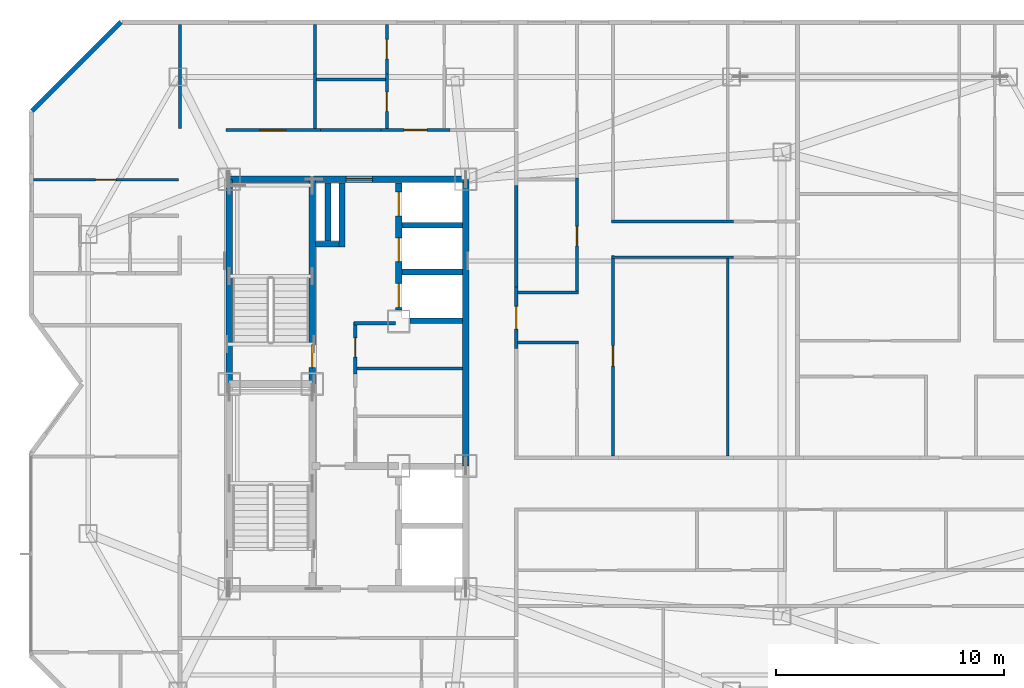
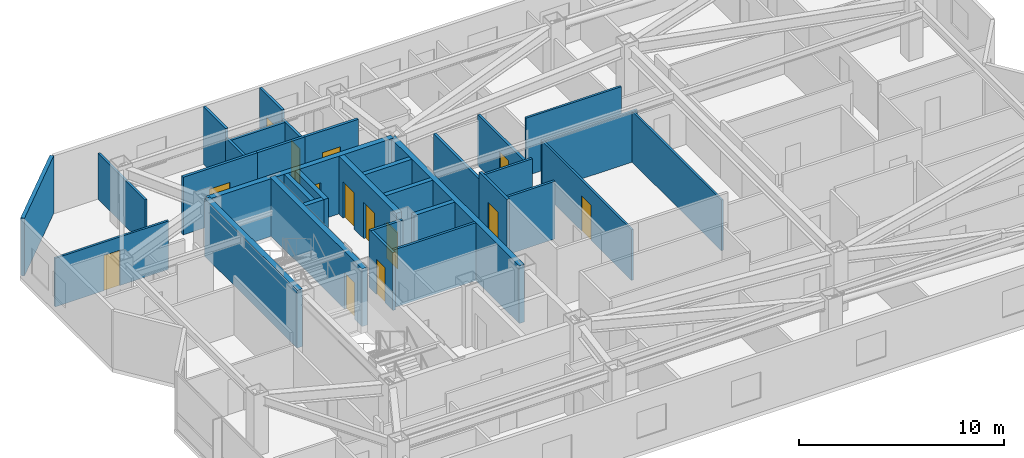
# One storey, part 10 of 14: 34 walls, 14 doors, 14 openings.
"""IFC4 building model written with IfcOpenShell, lengths in metres."""

import ifcopenshell
import ifcopenshell.guid

model = None  # the IFC model being written
_history = None  # IfcOwnerHistory: only IFC2X3 demands one
_inside = {}  # id of a spatial element -> (the spatial element, [elements in it])
_under = {}  # id of a project, library or spatial element -> (it, [spatial elements below it])
_declared = {}  # id of a project -> (the project, [libraries it declares])
_typed = {}  # id of a type object -> (the type object, [elements of that type])
_made_of = {}  # id of a material, layer set ... -> (it, [elements and type objects made of it])


def new_model(schema):
    """Start an empty IFC model of exactly this schema.

    Asked for "IFC4X3", IfcOpenShell would pick the latest addendum, in which some entities
    have other attributes; the version numbers below select the first issue.
    IFC2X3 requires an IfcOwnerHistory on every rooted entity: one is made here for all.
    """
    global model, _history
    if schema == "IFC4X3":
        model = ifcopenshell.file(schema_version=(4, 3, 0, 0))
    else:
        model = ifcopenshell.file(schema=schema)
    _inside.clear()
    _under.clear()
    _declared.clear()
    _typed.clear()
    _made_of.clear()
    _history = None
    if model.schema == "IFC2X3":
        org = make("IfcOrganization", Name="unknown")
        user = make(
            "IfcPersonAndOrganization",
            ThePerson=make("IfcPerson", FamilyName="unknown"),
            TheOrganization=org,
        )
        app = make(
            "IfcApplication",
            ApplicationDeveloper=org,
            Version="unknown",
            ApplicationFullName="unknown",
            ApplicationIdentifier="unknown",
        )
        _history = make(
            "IfcOwnerHistory",
            OwningUser=user,
            OwningApplication=app,
            ChangeAction="ADDED",
            CreationDate=0,
        )
    return model


def make(cls, **values):
    """One entity of the class cls with the attributes given. An attribute that is None is left unset."""
    return model.create_entity(
        cls, **{name: value for name, value in values.items() if value is not None}
    )


def rooted(cls, **values):
    """An entity with a GlobalId (a new one), such as an element, a storey or a relation."""
    return make(cls, GlobalId=ifcopenshell.guid.new(), OwnerHistory=_history, **values)


def si_unit(unit_type, name, prefix=None):
    """IfcSIUnit, for example si_unit("LENGTHUNIT", "METRE", prefix="MILLI")."""
    return make("IfcSIUnit", UnitType=unit_type, Prefix=prefix, Name=name)


def assignment(units):
    """IfcUnitAssignment: the units of a project."""
    return None if units is None else make("IfcUnitAssignment", Units=units)


def point(xyz):
    """IfcCartesianPoint."""
    return None if xyz is None else make("IfcCartesianPoint", Coordinates=xyz)


def direction(xyz):
    """IfcDirection."""
    return None if xyz is None else make("IfcDirection", DirectionRatios=xyz)


def frame(location, z_axis=None, x_axis=None):
    """IfcAxis2Placement3D, a coordinate frame: its origin and axes. An axis left out is left unset."""
    return make(
        "IfcAxis2Placement3D",
        Location=point(location),
        Axis=direction(z_axis),
        RefDirection=direction(x_axis),
    )


def frame_2d(location, x_axis=None):
    """IfcAxis2Placement2D, a coordinate frame in the plane: its origin and x axis."""
    return make(
        "IfcAxis2Placement2D", Location=point(location), RefDirection=direction(x_axis)
    )


def origin():
    """The frame at (0, 0, 0) with its axes left unset."""
    return frame((0.0, 0.0, 0.0))


def place(relative_to, where):
    """IfcLocalPlacement: puts the frame where relative to a parent placement (None: the world)."""
    return make(
        "IfcLocalPlacement", PlacementRelTo=relative_to, RelativePlacement=where
    )


def context(
    kind, dimensions, precision=None, world=None, true_north=None, identifier=None
):
    """IfcGeometricRepresentationContext, for example the 3D "Model" context."""
    return make(
        "IfcGeometricRepresentationContext",
        ContextIdentifier=identifier,
        ContextType=kind,
        CoordinateSpaceDimension=dimensions,
        Precision=precision,
        WorldCoordinateSystem=world,
        TrueNorth=true_north,
    )


def subcontext(parent, identifier, kind, view, scale=None):
    """IfcGeometricRepresentationSubContext, for example "Body" below "Model"."""
    return make(
        "IfcGeometricRepresentationSubContext",
        ContextIdentifier=identifier,
        ContextType=kind,
        ParentContext=parent,
        TargetScale=scale,
        TargetView=view,
    )


def project(units=None, contexts=None):
    """IfcProject with its units and contexts."""
    return rooted(
        "IfcProject",
        Name="project",
        RepresentationContexts=contexts,
        UnitsInContext=assignment(units),
    )


def spatial(cls, under=None, at=None, **own):
    """A site, building, storey or space (cls), placed at a placement, below another one or the project."""
    s = rooted(cls, ObjectPlacement=at, **own)
    if under is not None:
        _under.setdefault(under.id(), (under, []))[1].append(s)
    return s


def profile(cls, at=None, kind="AREA", **sizes):
    """A parametric profile (cls). Its sizes go by their IFC names, for example OverallWidth=200.0."""
    return make(cls, ProfileType=kind, Position=at, **sizes)


def rectangle(**sizes):
    """IfcRectangleProfileDef."""
    return profile("IfcRectangleProfileDef", **sizes)


def extrude(swept, where, along, depth):
    """IfcExtrudedAreaSolid: the profile swept, set in the frame where, extruded along a direction by depth."""
    return make(
        "IfcExtrudedAreaSolid",
        SweptArea=swept,
        Position=where,
        ExtrudedDirection=direction(along),
        Depth=depth,
    )


def shape(context_of_items, identifier, shape_type, items):
    """IfcShapeRepresentation: the items that make up one representation, for example the "Body"."""
    return make(
        "IfcShapeRepresentation",
        ContextOfItems=context_of_items,
        RepresentationIdentifier=identifier,
        RepresentationType=shape_type,
        Items=items,
    )


def material(Name=None, Category=None):
    """IfcMaterial."""
    return make("IfcMaterial", Name=Name, Category=Category)


def layer(
    of_material, thickness, ventilated=None, Name=None, Category=None, Priority=None
):
    """IfcMaterialLayer: one layer of a wall or slab, of a material (None: an air gap)."""
    return make(
        "IfcMaterialLayer",
        Material=of_material,
        LayerThickness=thickness,
        IsVentilated=ventilated,
        Name=Name,
        Category=Category,
        Priority=Priority,
    )


def layer_set(layers, Name=None):
    """IfcMaterialLayerSet."""
    return make("IfcMaterialLayerSet", MaterialLayers=layers, LayerSetName=Name)


def made_of(thing, what):
    """Note that an element or type object is made of a material, layer set ...; save() writes the relation."""
    if what is not None:
        _made_of.setdefault(what.id(), (what, []))[1].append(thing)
    return thing


def type_object(cls, material=None, **own):
    """A type object (cls), such as IfcWallType, which elements share."""
    return made_of(rooted(cls, **own), material)


def element(
    cls,
    number,
    at=None,
    inside=None,
    cuts=None,
    type_object=None,
    material=None,
    context=None,
    identifier="Body",
    shape_type=None,
    held_by="IfcProductDefinitionShape",
    body=None,
    shapes=None,
    **own,
):
    """One element of the class cls, such as IfcWall. Its Tag is "e" and its number.

    at: its placement. inside: the storey or other place that contains it. cuts: it is an
    opening in that element (IfcRelVoidsElement). A single representation is given by context,
    identifier, shape_type and body (its items); several are given by shapes. held_by: the class
    of the entity that holds the representations. save() writes the other relations.
    """
    e = rooted(cls, Tag="e%d" % number, ObjectPlacement=at, **own)
    if body is not None:
        shapes = [shape(context, identifier, shape_type, body)]
    if shapes is not None:
        e.Representation = make(held_by, Representations=shapes)
    if inside is not None:
        _inside.setdefault(inside.id(), (inside, []))[1].append(e)
    if cuts is not None:
        rooted(
            "IfcRelVoidsElement", RelatingBuildingElement=cuts, RelatedOpeningElement=e
        )
    if type_object is not None:
        _typed.setdefault(type_object.id(), (type_object, []))[1].append(e)
    return made_of(e, material)


def fill(opening, filler):
    """IfcRelFillsElement: the door or window that sits in an opening."""
    return rooted(
        "IfcRelFillsElement",
        RelatingOpeningElement=opening,
        RelatedBuildingElement=filler,
    )


def aggregate(whole, parts):
    """IfcRelAggregates: a whole, such as a stair, and the parts it consists of."""
    return rooted("IfcRelAggregates", RelatingObject=whole, RelatedObjects=parts)


def save(model, path):
    """Write the relations noted so far, then the file.

    IfcRelAggregates (storeys below a building ...), IfcRelContainedInSpatialStructure (elements
    in a storey), IfcRelDefinesByType, IfcRelAssociatesMaterial and IfcRelDeclares: one each for
    every whole, place, type object, material and project.
    """
    for whole, parts in _under.values():
        aggregate(whole, parts)
    for where, things in _inside.values():
        rooted(
            "IfcRelContainedInSpatialStructure",
            RelatedElements=things,
            RelatingStructure=where,
        )
    for kind, things in _typed.values():
        rooted("IfcRelDefinesByType", RelatedObjects=things, RelatingType=kind)
    for what, things in _made_of.values():
        rooted("IfcRelAssociatesMaterial", RelatedObjects=things, RelatingMaterial=what)
    for by, libraries in _declared.values():
        rooted("IfcRelDeclares", RelatingContext=by, RelatedDefinitions=libraries)
    model.write(path)


model = new_model("IFC4")

# Units and contexts
model_context = context("Model", 3, precision=1e-05, world=origin(), true_north=direction((0.0, 1.0)))
body_context = subcontext(model_context, "Body", "Model", "MODEL_VIEW")
ifc_project = project(units=[si_unit("LENGTHUNIT", "METRE"), si_unit("AREAUNIT", "SQUARE_METRE"), si_unit("VOLUMEUNIT", "CUBIC_METRE"), si_unit("PLANEANGLEUNIT", "RADIAN"), si_unit("MASSUNIT", "GRAM", prefix="KILO")], contexts=[model_context])

# Site, building, storey
site_placement = place(None, origin())
site = spatial("IfcSite", under=ifc_project, at=site_placement, CompositionType="ELEMENT")
building_placement = place(site_placement, origin())
building = spatial("IfcBuilding", under=site, at=building_placement, Name="Khamvora Tower", CompositionType="ELEMENT")
storey_placement = place(building_placement, frame((0.0, 0.0, 253.699951171875)))
storey = spatial("IfcBuildingStorey", under=building, at=storey_placement, Name="L65", CompositionType="ELEMENT", Elevation=253.699951171875)

# Wall
ifc_material_1 = material(Name="Concrete C50/60", Category="concrete")
ifc_layer_1 = layer(ifc_material_1, 0.300048828125)
ifc_layer_set_1 = layer_set([ifc_layer_1], Name="Concrete C50/60")
wall_type_1 = type_object("IfcWallType", Name="WAL-CORE-300", PredefinedType="SHEAR", material=ifc_layer_set_1)
wall_1_placement = place(storey_placement, frame((29.0, 28.0, 0.0), z_axis=(0.0, 0.0, 1.0), x_axis=(0.0, 1.0, 0.0)))
element("IfcWall", 1, at=wall_1_placement, inside=storey, type_object=wall_type_1, Name="L65 central core west north wall", PredefinedType="SHEAR", context=body_context, shape_type="SweptSolid", body=[
    extrude(rectangle(XDim=9.0, YDim=0.300048828125, at=frame_2d((4.5, 0.0))), origin(), (0.0, 0.0, 1.0), 3.429931640625),
])

# Wall, opening, door
wall_2_placement = place(storey_placement, frame((29.0, 37.0, 0.0), z_axis=(0.0, 0.0, 1.0), x_axis=(1.0, 0.0, 0.0)))
wall_2 = element("IfcWall", 2, at=wall_2_placement, inside=storey, type_object=wall_type_1, Name="L65 central core north wall", PredefinedType="SHEAR", context=body_context, shape_type="SweptSolid", body=[
    extrude(rectangle(XDim=10.39990234375, YDim=0.300048828125, at=frame_2d((5.199951171875, 0.0))), origin(), (0.0, 0.0, 1.0), 3.429931640625),
])
opening_1_placement = place(wall_2_placement, frame((5.139892578125, 0.0, 0.0)))
opening_1 = element("IfcOpeningElement", 3, at=opening_1_placement, cuts=wall_2, Name="Opening D-SC1", PredefinedType="OPENING", context=body_context, shape_type="SweptSolid", body=[
    extrude(rectangle(XDim=1.14990234375, YDim=2.199951171875, at=frame_2d((0.574951171875, 1.10009765625))), frame((0.0, 0.159912109375, 0.0), z_axis=(0.0, -1.0, 0.0), x_axis=(1.0, 0.0, 0.0)), (0.0, 0.0, 1.0), 0.320068359375),
])
ifc_material_2 = material(Name="Powder-Coated Steel and Hardwood Leaf", Category="steel")
door_type_1 = type_object("IfcDoorType", Name="DOR-SCHL-1150", OperationType="NOTDEFINED", PredefinedType="DOOR", material=ifc_material_2)
door_1_placement = place(opening_1_placement, origin())
door_1 = element("IfcDoor", 4, at=door_1_placement, inside=storey, type_object=door_type_1, Name="L65 north core lobby to corridor fire door", OperationType="SINGLE_SWING_LEFT", OverallHeight=2.199951171875, OverallWidth=1.14990234375, PredefinedType="DOOR", context=body_context, shape_type="SweptSolid", body=[
    extrude(rectangle(XDim=1.14990234375, YDim=2.199951171875, at=frame_2d((0.574951171875, 1.10009765625))), frame((0.0, 0.02490234375, 0.0), z_axis=(0.0, -1.0, 0.0), x_axis=(1.0, 0.0, 0.0)), (0.0, 0.0, 1.0), 0.050048828125),
])
fill(opening_1, door_1)

# Wall
wall_3_placement = place(storey_placement, frame((39.39990234375, 24.39990234375, 0.0), z_axis=(0.0, 0.0, 1.0), x_axis=(0.0, 1.0, 0.0)))
element("IfcWall", 5, at=wall_3_placement, inside=storey, type_object=wall_type_1, Name="L65 central core east north wall", PredefinedType="SHEAR", context=body_context, shape_type="SweptSolid", body=[
    extrude(rectangle(XDim=12.60009765625, YDim=0.300048828125, at=frame_2d((6.300048828125, 0.0))), origin(), (0.0, 0.0, 1.0), 3.429931640625),
])

# Wall, opening, door
wall_4_placement = place(storey_placement, frame((32.64990234375, 28.0, 0.0), z_axis=(0.0, 0.0, 1.0), x_axis=(0.0, 1.0, 0.0)))
wall_4 = element("IfcWall", 6, at=wall_4_placement, inside=storey, type_object=wall_type_1, Name="L65 central core stair north spine wall", PredefinedType="SHEAR", context=body_context, shape_type="SweptSolid", body=[
    extrude(rectangle(XDim=9.0, YDim=0.300048828125, at=frame_2d((4.5, 0.0))), origin(), (0.0, 0.0, 1.0), 3.429931640625),
])
opening_2_placement = place(wall_4_placement, frame((0.719970703125, 0.0, 0.0)))
opening_2 = element("IfcOpeningElement", 7, at=opening_2_placement, cuts=wall_4, Name="Opening D-ST1", PredefinedType="OPENING", context=body_context, shape_type="SweptSolid", body=[
    extrude(rectangle(XDim=1.0, YDim=2.14990234375, at=frame_2d((0.5, 1.074951171875))), frame((0.0, 0.159912109375, 0.0), z_axis=(0.0, -1.0, 0.0), x_axis=(1.0, 0.0, 0.0)), (0.0, 0.0, 1.0), 0.320068359375),
])
door_type_2 = type_object("IfcDoorType", Name="DOR-STAIR-1000", OperationType="NOTDEFINED", PredefinedType="DOOR", material=ifc_material_2)
door_2_placement = place(opening_2_placement, origin())
door_2 = element("IfcDoor", 8, at=door_2_placement, inside=storey, type_object=door_type_2, Name="L65 exit stair ST-02 fire door", OperationType="SINGLE_SWING_RIGHT", OverallHeight=2.14990234375, OverallWidth=1.0, PredefinedType="DOOR", context=body_context, shape_type="SweptSolid", body=[
    extrude(rectangle(XDim=1.0, YDim=2.14990234375, at=frame_2d((0.5, 1.074951171875))), frame((0.0, 0.02490234375, 0.0), z_axis=(0.0, -1.0, 0.0), x_axis=(1.0, 0.0, 0.0)), (0.0, 0.0, 1.0), 0.050048828125),
])
fill(opening_2, door_2)

# Wall, openings, doors
wall_5_placement = place(storey_placement, frame((36.449951171875, 31.25, 0.0), z_axis=(0.0, 0.0, 1.0), x_axis=(0.0, 1.0, 0.0)))
wall_5 = element("IfcWall", 9, at=wall_5_placement, inside=storey, type_object=wall_type_1, Name="L65 central core lift bank central wall", PredefinedType="SHEAR", context=body_context, shape_type="SweptSolid", body=[
    extrude(rectangle(XDim=5.595947265625, YDim=0.300048828125, at=frame_2d((2.7978515625, 0.0))), origin(), (0.0, 0.0, 1.0), 3.429931640625),
])
opening_3_placement = place(wall_5_placement, frame((0.1201171875, 0.0, 0.0)))
opening_3 = element("IfcOpeningElement", 10, at=opening_3_placement, cuts=wall_5, Name="Opening LD-PL", PredefinedType="OPENING", context=body_context, shape_type="SweptSolid", body=[
    extrude(rectangle(XDim=1.050048828125, YDim=2.14990234375, at=frame_2d((0.52490234375, 1.074951171875))), frame((0.0, 0.159912109375, 0.0), z_axis=(0.0, -1.0, 0.0), x_axis=(1.0, 0.0, 0.0)), (0.0, 0.0, 1.0), 0.320068359375),
])
opening_4_placement = place(wall_5_placement, frame((2.125, 0.0, 0.0)))
opening_4 = element("IfcOpeningElement", 11, at=opening_4_placement, cuts=wall_5, Name="Opening LD-PL", PredefinedType="OPENING", context=body_context, shape_type="SweptSolid", body=[
    extrude(rectangle(XDim=1.050048828125, YDim=2.14990234375, at=frame_2d((0.52490234375, 1.074951171875))), frame((0.0, 0.159912109375, 0.0), z_axis=(0.0, -1.0, 0.0), x_axis=(1.0, 0.0, 0.0)), (0.0, 0.0, 1.0), 0.320068359375),
])
opening_5_placement = place(wall_5_placement, frame((4.14501953125, 0.0, 0.0)))
opening_5 = element("IfcOpeningElement", 12, at=opening_5_placement, cuts=wall_5, Name="Opening LD-PL", PredefinedType="OPENING", context=body_context, shape_type="SweptSolid", body=[
    extrude(rectangle(XDim=1.050048828125, YDim=2.14990234375, at=frame_2d((0.52490234375, 1.074951171875))), frame((0.0, 0.159912109375, 0.0), z_axis=(0.0, -1.0, 0.0), x_axis=(1.0, 0.0, 0.0)), (0.0, 0.0, 1.0), 0.320068359375),
])
door_type_3 = type_object("IfcDoorType", Name="DOR-LIFT-1050", OperationType="SLIDING_TO_LEFT", PredefinedType="DOOR", material=ifc_material_2)
door_3_placement = place(opening_3_placement, origin())
door_3 = element("IfcDoor", 13, at=door_3_placement, inside=storey, type_object=door_type_3, Name="L65 lift landing sliding door PH-01", OperationType="SLIDING_TO_LEFT", OverallHeight=2.14990234375, OverallWidth=1.050048828125, PredefinedType="DOOR", context=body_context, shape_type="SweptSolid", body=[
    extrude(rectangle(XDim=1.050048828125, YDim=2.14990234375, at=frame_2d((0.52490234375, 1.074951171875))), frame((0.0, 0.02490234375, 0.0), z_axis=(0.0, -1.0, 0.0), x_axis=(1.0, 0.0, 0.0)), (0.0, 0.0, 1.0), 0.050048828125),
])
fill(opening_3, door_3)
door_4_placement = place(opening_4_placement, origin())
door_4 = element("IfcDoor", 14, at=door_4_placement, inside=storey, type_object=door_type_3, Name="L65 lift landing sliding door PH-02", OperationType="SLIDING_TO_LEFT", OverallHeight=2.14990234375, OverallWidth=1.050048828125, PredefinedType="DOOR", context=body_context, shape_type="SweptSolid", body=[
    extrude(rectangle(XDim=1.050048828125, YDim=2.14990234375, at=frame_2d((0.52490234375, 1.074951171875))), frame((0.0, 0.02490234375, 0.0), z_axis=(0.0, -1.0, 0.0), x_axis=(1.0, 0.0, 0.0)), (0.0, 0.0, 1.0), 0.050048828125),
])
fill(opening_4, door_4)
door_5_placement = place(opening_5_placement, origin())
door_5 = element("IfcDoor", 15, at=door_5_placement, inside=storey, type_object=door_type_3, Name="L65 lift landing sliding door PH-03", OperationType="SLIDING_TO_LEFT", OverallHeight=2.14990234375, OverallWidth=1.050048828125, PredefinedType="DOOR", context=body_context, shape_type="SweptSolid", body=[
    extrude(rectangle(XDim=1.050048828125, YDim=2.14990234375, at=frame_2d((0.52490234375, 1.074951171875))), frame((0.0, 0.02490234375, 0.0), z_axis=(0.0, -1.0, 0.0), x_axis=(1.0, 0.0, 0.0)), (0.0, 0.0, 1.0), 0.050048828125),
])
fill(opening_5, door_5)

# Wall
ifc_material_3 = material(Name="Fire-Rated Drywall and Steel Stud", Category="steel")
ifc_layer_2 = layer(ifc_material_3, 0.14990234375)
ifc_layer_set_2 = layer_set([ifc_layer_2], Name="Fire-Rated Drywall and Steel Stud")
wall_type_2 = type_object("IfcWallType", Name="WAL-CORR-150", PredefinedType="STANDARD", material=ifc_layer_set_2)
wall_6_placement = place(storey_placement, frame((36.300048828125, 30.6650390625, 0.0), z_axis=(0.0, 0.0, 1.0), x_axis=(-1.0, 0.0, 0.0)))
element("IfcWall", 16, at=wall_6_placement, inside=storey, type_object=wall_type_2, Name="L65 interior partition wall 001", PredefinedType="STANDARD", context=body_context, shape_type="SweptSolid", body=[
    extrude(rectangle(XDim=1.820068359375, YDim=0.14990234375, at=frame_2d((0.91015625, 0.0))), origin(), (0.0, 0.0, 1.0), 3.429931640625),
])

# Wall, opening, door
wall_7_placement = place(storey_placement, frame((34.544921875, 30.72998046875, 0.0), z_axis=(0.0, 0.0, 1.0), x_axis=(0.0, -1.0, 0.0)))
wall_7 = element("IfcWall", 17, at=wall_7_placement, inside=storey, type_object=wall_type_2, Name="L65 interior partition wall 002", PredefinedType="STANDARD", context=body_context, shape_type="SweptSolid", body=[
    extrude(rectangle(XDim=2.2939453125, YDim=0.14990234375, at=frame_2d((1.14697265625, 0.0))), origin(), (0.0, 0.0, 1.0), 3.429931640625),
])
opening_6_placement = place(wall_7_placement, frame((0.700927734375, 0.0, 0.0)))
opening_6 = element("IfcOpeningElement", 18, at=opening_6_placement, cuts=wall_7, Name="Opening D-WC1", PredefinedType="OPENING", context=body_context, shape_type="SweptSolid", body=[
    extrude(rectangle(XDim=0.85009765625, YDim=2.10009765625, at=frame_2d((0.425048828125, 1.050048828125))), frame((0.0, 0.0849609375, 0.0), z_axis=(0.0, -1.0, 0.0), x_axis=(1.0, 0.0, 0.0)), (0.0, 0.0, 1.0), 0.169921875),
])
door_type_4 = type_object("IfcDoorType", Name="DOR-WET-850", OperationType="NOTDEFINED", PredefinedType="DOOR", material=ifc_material_2)
door_6_placement = place(opening_6_placement, origin())
door_6 = element("IfcDoor", 19, at=door_6_placement, inside=storey, type_object=door_type_4, Name="L65 interior door PHL-CS1", OperationType="SINGLE_SWING_RIGHT", OverallHeight=2.10009765625, OverallWidth=0.85009765625, PredefinedType="DOOR", context=body_context, shape_type="SweptSolid", body=[
    extrude(rectangle(XDim=0.85009765625, YDim=2.10009765625, at=frame_2d((0.425048828125, 1.050048828125))), frame((0.0, 0.02490234375, 0.0), z_axis=(0.0, -1.0, 0.0), x_axis=(1.0, 0.0, 0.0)), (0.0, 0.0, 1.0), 0.050048828125),
])
fill(opening_6, door_6)

wall_8_placement = place(storey_placement, frame((28.85009765625, 39.1650390625, 0.0), z_axis=(0.0, 0.0, 1.0), x_axis=(1.0, 0.0, 0.0)))
wall_8 = element("IfcWall", 20, at=wall_8_placement, inside=storey, type_object=wall_type_2, Name="L65 interior partition wall 007", PredefinedType="STANDARD", context=body_context, shape_type="SweptSolid", body=[
    extrude(rectangle(XDim=4.163818359375, YDim=0.14990234375, at=frame_2d((2.08203125, 0.0))), origin(), (0.0, 0.0, 1.0), 3.429931640625),
])
opening_7_placement = place(wall_8_placement, frame((1.486083984375, 0.0, 0.0)))
opening_7 = element("IfcOpeningElement", 21, at=opening_7_placement, cuts=wall_8, Name="Opening D-SC1", PredefinedType="OPENING", context=body_context, shape_type="SweptSolid", body=[
    extrude(rectangle(XDim=1.14990234375, YDim=2.199951171875, at=frame_2d((0.574951171875, 1.10009765625))), frame((0.0, 0.0849609375, 0.0), z_axis=(0.0, -1.0, 0.0), x_axis=(1.0, 0.0, 0.0)), (0.0, 0.0, 1.0), 0.169921875),
])
door_7_placement = place(opening_7_placement, origin())
door_7 = element("IfcDoor", 22, at=door_7_placement, inside=storey, type_object=door_type_1, Name="L65 interior door COR-FSTD", OperationType="SINGLE_SWING_LEFT", OverallHeight=2.199951171875, OverallWidth=1.14990234375, PredefinedType="DOOR", context=body_context, shape_type="SweptSolid", body=[
    extrude(rectangle(XDim=1.14990234375, YDim=2.199951171875, at=frame_2d((0.574951171875, 1.10009765625))), frame((0.0, 0.02490234375, 0.0), z_axis=(0.0, -1.0, 0.0), x_axis=(1.0, 0.0, 0.0)), (0.0, 0.0, 1.0), 0.050048828125),
])
fill(opening_7, door_7)

wall_9_placement = place(storey_placement, frame((35.680908203125, 39.1650390625, 0.0), z_axis=(0.0, 0.0, 1.0), x_axis=(1.0, 0.0, 0.0)))
wall_9 = element("IfcWall", 23, at=wall_9_placement, inside=storey, type_object=wall_type_2, Name="L65 interior partition wall 017", PredefinedType="STANDARD", context=body_context, shape_type="SweptSolid", body=[
    extrude(rectangle(XDim=3.01806640625, YDim=0.14990234375, at=frame_2d((1.509033203125, 0.0))), origin(), (0.0, 0.0, 1.0), 3.429931640625),
])
opening_8_placement = place(wall_9_placement, frame((1.009033203125, 0.0, 0.0)))
opening_8 = element("IfcOpeningElement", 24, at=opening_8_placement, cuts=wall_9, Name="Opening D-U1", PredefinedType="OPENING", context=body_context, shape_type="SweptSolid", body=[
    extrude(rectangle(XDim=1.0, YDim=2.14990234375, at=frame_2d((0.5, 1.074951171875))), frame((0.0, 0.0849609375, 0.0), z_axis=(0.0, -1.0, 0.0), x_axis=(1.0, 0.0, 0.0)), (0.0, 0.0, 1.0), 0.169921875),
])
door_type_5 = type_object("IfcDoorType", Name="DOR-UNIT-1000", OperationType="NOTDEFINED", PredefinedType="DOOR", material=ifc_material_2)
door_8_placement = place(opening_8_placement, origin())
door_8 = element("IfcDoor", 25, at=door_8_placement, inside=storey, type_object=door_type_5, Name="L65 interior door COR-65NAH", OperationType="SINGLE_SWING_LEFT", OverallHeight=2.14990234375, OverallWidth=1.0, PredefinedType="DOOR", context=body_context, shape_type="SweptSolid", body=[
    extrude(rectangle(XDim=1.0, YDim=2.14990234375, at=frame_2d((0.5, 1.074951171875))), frame((0.0, 0.02490234375, 0.0), z_axis=(0.0, -1.0, 0.0), x_axis=(1.0, 0.0, 0.0)), (0.0, 0.0, 1.0), 0.050048828125),
])
fill(opening_8, door_8)

# Wall
wall_10_placement = place(storey_placement, frame((33.013916015625, 39.1650390625, 0.0), z_axis=(0.0, 0.0, 1.0), x_axis=(1.0, 0.0, 0.0)))
element("IfcWall", 26, at=wall_10_placement, inside=storey, type_object=wall_type_2, Name="L65 interior partition wall 018", PredefinedType="STANDARD", context=body_context, shape_type="SweptSolid", body=[
    extrude(rectangle(XDim=2.6669921875, YDim=0.14990234375, at=frame_2d((1.33349609375, 0.0))), origin(), (0.0, 0.0, 1.0), 3.429931640625),
])

# Wall, opening, door
wall_11_placement = place(storey_placement, frame((41.614990234375, 32.264892578125, 0.0), z_axis=(0.0, 0.0, 1.0), x_axis=(0.0, -1.0, 0.0)))
wall_11 = element("IfcWall", 27, at=wall_11_placement, inside=storey, type_object=wall_type_2, Name="L65 interior partition wall 029", PredefinedType="STANDARD", context=body_context, shape_type="SweptSolid", body=[
    extrude(rectangle(XDim=2.697998046875, YDim=0.14990234375, at=frame_2d((1.34912109375, 0.0))), origin(), (0.0, 0.0, 1.0), 3.429931640625),
])
opening_9_placement = place(wall_11_placement, frame((0.84912109375, 0.0, 0.0)))
opening_9 = element("IfcOpeningElement", 28, at=opening_9_placement, cuts=wall_11, Name="Opening D-U1", PredefinedType="OPENING", context=body_context, shape_type="SweptSolid", body=[
    extrude(rectangle(XDim=1.0, YDim=2.14990234375, at=frame_2d((0.5, 1.074951171875))), frame((0.0, 0.0849609375, 0.0), z_axis=(0.0, -1.0, 0.0), x_axis=(1.0, 0.0, 0.0)), (0.0, 0.0, 1.0), 0.169921875),
])
door_9_placement = place(opening_9_placement, origin())
door_9 = element("IfcDoor", 29, at=door_9_placement, inside=storey, type_object=door_type_5, Name="L65 interior door COR-65EBH", OperationType="SINGLE_SWING_LEFT", OverallHeight=2.14990234375, OverallWidth=1.0, PredefinedType="DOOR", context=body_context, shape_type="SweptSolid", body=[
    extrude(rectangle(XDim=1.0, YDim=2.14990234375, at=frame_2d((0.5, 1.074951171875))), frame((0.0, 0.02490234375, 0.0), z_axis=(0.0, -1.0, 0.0), x_axis=(1.0, 0.0, 0.0)), (0.0, 0.0, 1.0), 0.050048828125),
])
fill(opening_9, door_9)

# Walls
wall_12_placement = place(storey_placement, frame((41.614990234375, 36.73193359375, 0.0), z_axis=(0.0, 0.0, 1.0), x_axis=(0.0, -1.0, 0.0)))
element("IfcWall", 30, at=wall_12_placement, inside=storey, type_object=wall_type_2, Name="L65 interior partition wall 031", PredefinedType="STANDARD", context=body_context, shape_type="SweptSolid", body=[
    extrude(rectangle(XDim=4.467041015625, YDim=0.14990234375, at=frame_2d((2.2333984375, 0.0))), origin(), (0.0, 0.0, 1.0), 3.012939453125),
])
ifc_material_4 = material(Name="Precast concrete C40/50", Category="concrete")
ifc_layer_3 = layer(ifc_material_4, 0.199951171875)
ifc_layer_set_3 = layer_set([ifc_layer_3], Name="Precast concrete C40/50")
wall_type_3 = type_object("IfcWallType", Name="WAL-EXT-200", PredefinedType="STANDARD", material=ifc_layer_set_3)
wall_13_placement = place(storey_placement, frame((20.343994140625, 40.0029296875, 0.0), z_axis=(0.0, 0.0, 1.0), x_axis=(0.707106781187, 0.707106781187, 0.0)))
element("IfcWall", 31, at=wall_13_placement, inside=storey, type_object=wall_type_3, Name="L65 exterior facade wall 06.1", PredefinedType="STANDARD", context=body_context, shape_type="SweptSolid", body=[
    extrude(rectangle(XDim=5.51123046875, YDim=0.199951171875, at=frame_2d((2.755615234375, 0.0))), origin(), (0.0, 0.0, 1.0), 3.429931640625),
])
ifc_material_5 = material(Name="Gypsum Plasterboard Partition", Category="gypsum")
ifc_layer_4 = layer(ifc_material_5, 0.1201171875)
ifc_layer_set_4 = layer_set([ifc_layer_4], Name="Gypsum Plasterboard Partition")
wall_type_4 = type_object("IfcWallType", Name="WAL-PART-120", PredefinedType="PARTITIONING", material=ifc_layer_set_4)
wall_14_placement = place(storey_placement, frame((26.8349609375, 39.22998046875, 0.0), z_axis=(0.0, 0.0, 1.0), x_axis=(0.0, 1.0, 0.0)))
element("IfcWall", 32, at=wall_14_placement, inside=storey, type_object=wall_type_4, Name="L65 interior partition wall 039", PredefinedType="PARTITIONING", context=body_context, shape_type="SweptSolid", body=[
    extrude(rectangle(XDim=4.578125, YDim=0.1201171875, at=frame_2d((2.2890625, 0.0))), origin(), (0.0, 0.0, 1.0), 2.72509765625),
])

# Wall, opening, door
wall_15_placement = place(storey_placement, frame((20.39208984375, 36.97509765625, 0.0), z_axis=(0.0, 0.0, 1.0), x_axis=(1.0, 0.0, 0.0)))
wall_15 = element("IfcWall", 33, at=wall_15_placement, inside=storey, type_object=wall_type_4, Name="L65 interior partition wall 053", PredefinedType="PARTITIONING", context=body_context, shape_type="SweptSolid", body=[
    extrude(rectangle(XDim=6.3779296875, YDim=0.1201171875, at=frame_2d((3.18896484375, 0.0))), origin(), (0.0, 0.0, 1.0), 2.886962890625),
])
opening_10_placement = place(wall_15_placement, frame((2.739013671875, 0.0, 0.0)))
opening_10 = element("IfcOpeningElement", 34, at=opening_10_placement, cuts=wall_15, Name="Opening D-RM1", PredefinedType="OPENING", context=body_context, shape_type="SweptSolid", body=[
    extrude(rectangle(XDim=0.89990234375, YDim=2.10009765625, at=frame_2d((0.449951171875, 1.050048828125))), frame((0.0, 0.070068359375, 0.0), z_axis=(0.0, -1.0, 0.0), x_axis=(1.0, 0.0, 0.0)), (0.0, 0.0, 1.0), 0.14013671875),
])
door_type_6 = type_object("IfcDoorType", Name="DOR-ROOM-900", OperationType="NOTDEFINED", PredefinedType="DOOR", material=ifc_material_2)
door_10_placement = place(opening_10_placement, origin())
door_10 = element("IfcDoor", 35, at=door_10_placement, inside=storey, type_object=door_type_6, Name="L65 interior door 65WBH-65WBR1", OperationType="SINGLE_SWING_LEFT", OverallHeight=2.10009765625, OverallWidth=0.89990234375, PredefinedType="DOOR", context=body_context, shape_type="SweptSolid", body=[
    extrude(rectangle(XDim=0.89990234375, YDim=2.10009765625, at=frame_2d((0.449951171875, 1.050048828125))), frame((0.0, 0.02490234375, 0.0), z_axis=(0.0, -1.0, 0.0), x_axis=(1.0, 0.0, 0.0)), (0.0, 0.0, 1.0), 0.050048828125),
])
fill(opening_10, door_10)

wall_16_placement = place(storey_placement, frame((45.867919921875, 33.639892578125, 0.0), z_axis=(0.0, 0.0, 1.0), x_axis=(0.0, -1.0, 0.0)))
wall_16 = element("IfcWall", 36, at=wall_16_placement, inside=storey, type_object=wall_type_4, Name="L65 interior partition wall 085", PredefinedType="PARTITIONING", context=body_context, shape_type="SweptSolid", body=[
    extrude(rectangle(XDim=8.807861328125, YDim=0.1201171875, at=frame_2d((4.40380859375, 0.0))), origin(), (0.0, 0.0, 1.0), 3.012939453125),
])
opening_11_placement = place(wall_16_placement, frame((3.9541015625, 0.0, 0.0)))
opening_11 = element("IfcOpeningElement", 37, at=opening_11_placement, cuts=wall_16, Name="Opening D-RM1", PredefinedType="OPENING", context=body_context, shape_type="SweptSolid", body=[
    extrude(rectangle(XDim=0.89990234375, YDim=2.10009765625, at=frame_2d((0.449951171875, 1.050048828125))), frame((0.0, 0.070068359375, 0.0), z_axis=(0.0, -1.0, 0.0), x_axis=(1.0, 0.0, 0.0)), (0.0, 0.0, 1.0), 0.14013671875),
])
door_11_placement = place(opening_11_placement, origin())
door_11 = element("IfcDoor", 38, at=door_11_placement, inside=storey, type_object=door_type_6, Name="L65 interior door 65EBH-65EBR1", OperationType="SINGLE_SWING_LEFT", OverallHeight=2.10009765625, OverallWidth=0.89990234375, PredefinedType="DOOR", context=body_context, shape_type="SweptSolid", body=[
    extrude(rectangle(XDim=0.89990234375, YDim=2.10009765625, at=frame_2d((0.449951171875, 1.050048828125))), frame((0.0, 0.02490234375, 0.0), z_axis=(0.0, -1.0, 0.0), x_axis=(1.0, 0.0, 0.0)), (0.0, 0.0, 1.0), 0.050048828125),
])
fill(opening_11, door_11)

# Walls
wall_17_placement = place(storey_placement, frame((51.1669921875, 33.574951171875, 0.0), z_axis=(0.0, 0.0, 1.0), x_axis=(-1.0, 0.0, 0.0)))
element("IfcWall", 39, at=wall_17_placement, inside=storey, type_object=wall_type_4, Name="L65 interior partition wall 086", PredefinedType="PARTITIONING", context=body_context, shape_type="SweptSolid", body=[
    extrude(rectangle(XDim=5.364013671875, YDim=0.1201171875, at=frame_2d((2.68212890625, 0.0))), origin(), (0.0, 0.0, 1.0), 3.012939453125),
])
wall_18_placement = place(storey_placement, frame((45.802978515625, 35.14501953125, 0.0), z_axis=(0.0, 0.0, 1.0), x_axis=(1.0, 0.0, 0.0)))
element("IfcWall", 40, at=wall_18_placement, inside=storey, type_object=wall_type_4, Name="L65 interior partition wall 089", PredefinedType="PARTITIONING", context=body_context, shape_type="SweptSolid", body=[
    extrude(rectangle(XDim=5.364013671875, YDim=0.1201171875, at=frame_2d((2.68212890625, 0.0))), origin(), (0.0, 0.0, 1.0), 3.429931640625),
])
wall_19_placement = place(storey_placement, frame((50.9169921875, 33.52099609375, 0.0), z_axis=(0.0, 0.0, 1.0), x_axis=(0.0, -1.0, 0.0)))
element("IfcWall", 41, at=wall_19_placement, inside=storey, type_object=wall_type_4, Name="L65 interior partition wall 092", PredefinedType="PARTITIONING", context=body_context, shape_type="SweptSolid", body=[
    extrude(rectangle(XDim=8.68896484375, YDim=0.1201171875, at=frame_2d((4.344482421875, 0.0))), origin(), (0.0, 0.0, 1.0), 3.012939453125),
])
ifc_material_6 = material(Name="Concrete C40/50", Category="concrete")
ifc_layer_5 = layer(ifc_material_6, 0.25)
ifc_layer_set_5 = layer_set([ifc_layer_5], Name="Concrete C40/50")
wall_type_5 = type_object("IfcWallType", Name="WAL-PODS-250", PredefinedType="SHEAR", material=ifc_layer_set_5)
wall_20_placement = place(storey_placement, frame((36.9541015625, 30.77490234375, 0.0), z_axis=(0.0, 0.0, 1.0), x_axis=(1.0, 0.0, 0.0)))
element("IfcWall", 42, at=wall_20_placement, inside=storey, type_object=wall_type_5, Name="L65 high-rise lift shaft south enclosure wall PH-01", PredefinedType="SHEAR", context=body_context, shape_type="SweptSolid", body=[
    extrude(rectangle(XDim=2.2919921875, YDim=0.25, at=frame_2d((1.14599609375, 0.0))), origin(), (0.0, 0.0, 1.0), 3.429931640625),
])
for number, where, z_axis, x_axis, name in (
    (43, (36.60400390625, 32.925048828125, 0.0), (0.0, 0.0, 1.0), (1.0, 0.0, 0.0), "L65 lift shaft divider wall PH-01"),
    (44, (36.60400390625, 34.97509765625, 0.0), (0.0, 0.0, 1.0), (1.0, 0.0, 0.0), "L65 lift shaft divider wall PH-02"),
):
    element("IfcWall", number, at=place(storey_placement, frame(where, z_axis=z_axis, x_axis=x_axis)), inside=storey, type_object=wall_type_5, Name=name, PredefinedType="SHEAR", context=body_context, shape_type="SweptSolid", body=[
        extrude(rectangle(XDim=2.64208984375, YDim=0.25, at=frame_2d((1.321044921875, 0.0))), origin(), (0.0, 0.0, 1.0), 3.429931640625),
    ])
wall_21_placement = place(storey_placement, frame((33.955078125, 34.02490234375, 0.0), z_axis=(0.0, 0.0, 1.0), x_axis=(0.0, 1.0, 0.0)))
element("IfcWall", 45, at=wall_21_placement, inside=storey, type_object=wall_type_5, Name="L65 vertical MEP riser shaft east enclosure wall", PredefinedType="SHEAR", context=body_context, shape_type="SweptSolid", body=[
    extrude(rectangle(XDim=2.821044921875, YDim=0.25, at=frame_2d((1.41064453125, 0.0))), origin(), (0.0, 0.0, 1.0), 3.429931640625),
])
wall_22_placement = place(storey_placement, frame((32.803955078125, 34.14990234375, 0.0), z_axis=(0.0, 0.0, 1.0), x_axis=(1.0, 0.0, 0.0)))
element("IfcWall", 46, at=wall_22_placement, inside=storey, type_object=wall_type_5, Name="L65 vertical MEP riser shaft south enclosure wall", PredefinedType="SHEAR", context=body_context, shape_type="SweptSolid", body=[
    extrude(rectangle(XDim=1.02197265625, YDim=0.25, at=frame_2d((0.510986328125, 0.0))), origin(), (0.0, 0.0, 1.0), 3.429931640625),
])
wall_23_placement = place(storey_placement, frame((33.340087890625, 34.279052734375, 0.0), z_axis=(0.0, 0.0, 1.0), x_axis=(0.0, 1.0, 0.0)))
element("IfcWall", 47, at=wall_23_placement, inside=storey, type_object=wall_type_5, Name="L65 vertical MEP riser shaft divider enclosure wall", PredefinedType="SHEAR", context=body_context, shape_type="SweptSolid", body=[
    extrude(rectangle(XDim=2.56689453125, YDim=0.25, at=frame_2d((1.283447265625, 0.0))), origin(), (0.0, 0.0, 1.0), 3.429931640625),
])
ifc_material_7 = material(Name="Moisture-Resistant Plasterboard Partition", Category="gypsum")
ifc_layer_6 = layer(ifc_material_7, 0.135009765625)
ifc_layer_set_6 = layer_set([ifc_layer_6], Name="Moisture-Resistant Plasterboard Partition")
wall_type_6 = type_object("IfcWallType", Name="WAL-WET-135", PredefinedType="PARTITIONING", material=ifc_layer_set_6)
wall_24_placement = place(storey_placement, frame((39.256103515625, 28.68505859375, 0.0), z_axis=(0.0, 0.0, 1.0), x_axis=(-1.0, 0.0, 0.0)))
element("IfcWall", 48, at=wall_24_placement, inside=storey, type_object=wall_type_6, Name="L65 interior partition wall 005", PredefinedType="PARTITIONING", context=body_context, shape_type="SweptSolid", body=[
    extrude(rectangle(XDim=4.64404296875, YDim=0.135009765625, at=frame_2d((2.322021484375, 0.0))), origin(), (0.0, 0.0, 1.0), 3.429931640625),
])
wall_25_placement = place(storey_placement, frame((32.764892578125, 41.62890625, 0.0), z_axis=(0.0, 0.0, 1.0), x_axis=(0.0, -1.0, 0.0)))
element("IfcWall", 49, at=wall_25_placement, inside=storey, type_object=wall_type_6, Name="L65 interior partition wall 040", PredefinedType="PARTITIONING", context=body_context, shape_type="SweptSolid", body=[
    extrude(rectangle(XDim=2.39697265625, YDim=0.135009765625, at=frame_2d((1.198486328125, 0.0))), origin(), (0.0, 0.0, 1.0), 2.886962890625),
])
wall_26_placement = place(storey_placement, frame((32.764892578125, 43.80810546875, 0.0), z_axis=(0.0, 0.0, 1.0), x_axis=(0.0, -1.0, 0.0)))
element("IfcWall", 50, at=wall_26_placement, inside=storey, type_object=wall_type_6, Name="L65 interior partition wall 041", PredefinedType="PARTITIONING", context=body_context, shape_type="SweptSolid", body=[
    extrude(rectangle(XDim=2.17919921875, YDim=0.135009765625, at=frame_2d((1.089599609375, 0.0))), origin(), (0.0, 0.0, 1.0), 3.429931640625),
])

# Wall, opening, door
wall_27_placement = place(storey_placement, frame((35.929931640625, 39.23193359375, 0.0), z_axis=(0.0, 0.0, 1.0), x_axis=(0.0, 1.0, 0.0)))
wall_27 = element("IfcWall", 51, at=wall_27_placement, inside=storey, type_object=wall_type_6, Name="L65 interior partition wall 059", PredefinedType="PARTITIONING", context=body_context, shape_type="SweptSolid", body=[
    extrude(rectangle(XDim=2.39697265625, YDim=0.135009765625, at=frame_2d((1.198486328125, 0.0))), origin(), (0.0, 0.0, 1.0), 2.886962890625),
])
opening_12_placement = place(wall_27_placement, frame((0.751953125, 0.0, 0.0)))
opening_12 = element("IfcOpeningElement", 52, at=opening_12_placement, cuts=wall_27, Name="Opening D-WC1", PredefinedType="OPENING", context=body_context, shape_type="SweptSolid", body=[
    extrude(rectangle(XDim=0.85009765625, YDim=2.10009765625, at=frame_2d((0.425048828125, 1.050048828125))), frame((0.0, 0.077392578125, 0.0), z_axis=(0.0, -1.0, 0.0), x_axis=(1.0, 0.0, 0.0)), (0.0, 0.0, 1.0), 0.155029296875),
])
door_12_placement = place(opening_12_placement, origin())
door_12 = element("IfcDoor", 53, at=door_12_placement, inside=storey, type_object=door_type_4, Name="L65 interior door 65NAH-65NAB", OperationType="SINGLE_SWING_RIGHT", OverallHeight=2.10009765625, OverallWidth=0.85009765625, PredefinedType="DOOR", context=body_context, shape_type="SweptSolid", body=[
    extrude(rectangle(XDim=0.85009765625, YDim=2.10009765625, at=frame_2d((0.425048828125, 1.050048828125))), frame((0.0, 0.02490234375, 0.0), z_axis=(0.0, -1.0, 0.0), x_axis=(1.0, 0.0, 0.0)), (0.0, 0.0, 1.0), 0.050048828125),
])
fill(opening_12, door_12)

wall_28_placement = place(storey_placement, frame((35.929931640625, 41.62890625, 0.0), z_axis=(0.0, 0.0, 1.0), x_axis=(0.0, 1.0, 0.0)))
wall_28 = element("IfcWall", 54, at=wall_28_placement, inside=storey, type_object=wall_type_6, Name="L65 interior partition wall 060", PredefinedType="PARTITIONING", context=body_context, shape_type="SweptSolid", body=[
    extrude(rectangle(XDim=2.17919921875, YDim=0.135009765625, at=frame_2d((1.089599609375, 0.0))), origin(), (0.0, 0.0, 1.0), 3.429931640625),
])
opening_13_placement = place(wall_28_placement, frame((0.6640625, 0.0, 0.0)))
opening_13 = element("IfcOpeningElement", 55, at=opening_13_placement, cuts=wall_28, Name="Opening D-RM2", PredefinedType="OPENING", context=body_context, shape_type="SweptSolid", body=[
    extrude(rectangle(XDim=0.85009765625, YDim=2.10009765625, at=frame_2d((0.425048828125, 1.050048828125))), frame((0.0, 0.077392578125, 0.0), z_axis=(0.0, -1.0, 0.0), x_axis=(1.0, 0.0, 0.0)), (0.0, 0.0, 1.0), 0.155029296875),
])
door_type_7 = type_object("IfcDoorType", Name="DOR-ROOM-850", OperationType="NOTDEFINED", PredefinedType="DOOR", material=ifc_material_2)
door_13_placement = place(opening_13_placement, origin())
door_13 = element("IfcDoor", 56, at=door_13_placement, inside=storey, type_object=door_type_7, Name="L65 interior door 65NAH-65NAK", OperationType="SINGLE_SWING_LEFT", OverallHeight=2.10009765625, OverallWidth=0.85009765625, PredefinedType="DOOR", context=body_context, shape_type="SweptSolid", body=[
    extrude(rectangle(XDim=0.85009765625, YDim=2.10009765625, at=frame_2d((0.425048828125, 1.050048828125))), frame((0.0, 0.02490234375, 0.0), z_axis=(0.0, -1.0, 0.0), x_axis=(1.0, 0.0, 0.0)), (0.0, 0.0, 1.0), 0.050048828125),
])
fill(opening_13, door_13)

# Walls
wall_29_placement = place(storey_placement, frame((32.826904296875, 41.3798828125, 0.0), z_axis=(0.0, 0.0, 1.0), x_axis=(1.0, 0.0, 0.0)))
element("IfcWall", 57, at=wall_29_placement, inside=storey, type_object=wall_type_6, Name="L65 interior partition wall 062", PredefinedType="PARTITIONING", context=body_context, shape_type="SweptSolid", body=[
    extrude(rectangle(XDim=3.041015625, YDim=0.135009765625, at=frame_2d((1.5205078125, 0.0))), origin(), (0.0, 0.0, 1.0), 2.886962890625),
])
wall_30_placement = place(storey_placement, frame((41.681884765625, 32.01611328125, 0.0), z_axis=(0.0, 0.0, 1.0), x_axis=(1.0, 0.0, 0.0)))
element("IfcWall", 58, at=wall_30_placement, inside=storey, type_object=wall_type_6, Name="L65 interior partition wall 081", PredefinedType="PARTITIONING", context=body_context, shape_type="SweptSolid", body=[
    extrude(rectangle(XDim=2.671142578125, YDim=0.135009765625, at=frame_2d((1.33544921875, 0.0))), origin(), (0.0, 0.0, 1.0), 3.429931640625),
])

# Wall, opening, door
wall_31_placement = place(storey_placement, frame((44.2880859375, 31.950927734375, 0.0), z_axis=(0.0, 0.0, 1.0), x_axis=(0.0, 1.0, 0.0)))
wall_31 = element("IfcWall", 59, at=wall_31_placement, inside=storey, type_object=wall_type_6, Name="L65 interior partition wall 082", PredefinedType="PARTITIONING", context=body_context, shape_type="SweptSolid", body=[
    extrude(rectangle(XDim=5.094970703125, YDim=0.135009765625, at=frame_2d((2.54736328125, 0.0))), origin(), (0.0, 0.0, 1.0), 3.012939453125),
])
opening_14_placement = place(wall_31_placement, frame((2.123046875, 0.0, 0.0)))
opening_14 = element("IfcOpeningElement", 60, at=opening_14_placement, cuts=wall_31, Name="Opening D-WC1", PredefinedType="OPENING", context=body_context, shape_type="SweptSolid", body=[
    extrude(rectangle(XDim=0.85009765625, YDim=2.10009765625, at=frame_2d((0.425048828125, 1.050048828125))), frame((0.0, 0.077392578125, 0.0), z_axis=(0.0, -1.0, 0.0), x_axis=(1.0, 0.0, 0.0)), (0.0, 0.0, 1.0), 0.155029296875),
])
door_14_placement = place(opening_14_placement, origin())
door_14 = element("IfcDoor", 61, at=door_14_placement, inside=storey, type_object=door_type_4, Name="L65 interior door 65EBH-65EBB", OperationType="SINGLE_SWING_LEFT", OverallHeight=2.10009765625, OverallWidth=0.85009765625, PredefinedType="DOOR", context=body_context, shape_type="SweptSolid", body=[
    extrude(rectangle(XDim=0.85009765625, YDim=2.10009765625, at=frame_2d((0.425048828125, 1.050048828125))), frame((0.0, 0.02490234375, 0.0), z_axis=(0.0, -1.0, 0.0), x_axis=(1.0, 0.0, 0.0)), (0.0, 0.0, 1.0), 0.050048828125),
])
fill(opening_14, door_14)

# Wall
wall_32_placement = place(storey_placement, frame((44.35302734375, 29.81591796875, 0.0), z_axis=(0.0, 0.0, 1.0), x_axis=(-1.0, 0.0, 0.0)))
element("IfcWall", 62, at=wall_32_placement, inside=storey, type_object=wall_type_6, Name="L65 interior partition wall 084", PredefinedType="PARTITIONING", context=body_context, shape_type="SweptSolid", body=[
    extrude(rectangle(XDim=2.671142578125, YDim=0.135009765625, at=frame_2d((1.33544921875, 0.0))), origin(), (0.0, 0.0, 1.0), 3.429931640625),
])

save(model, "model.ifc")
